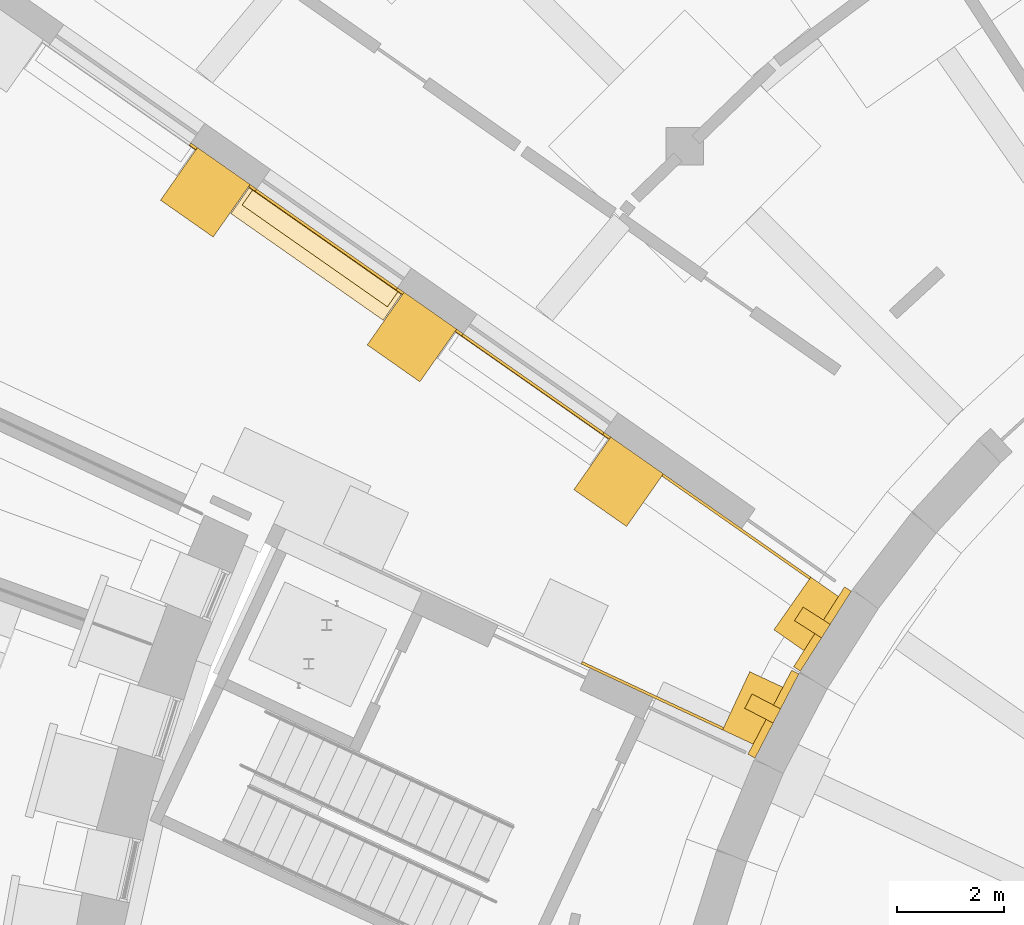
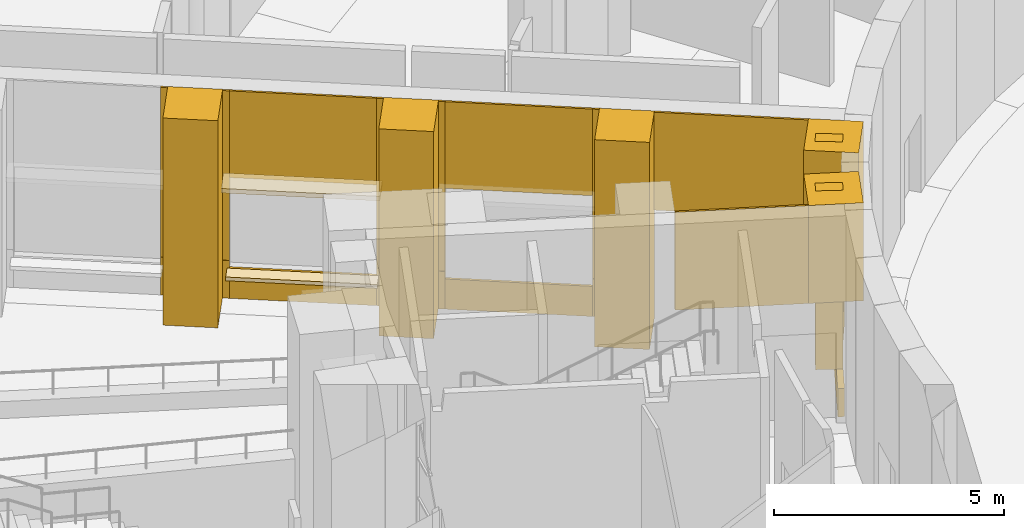
# One storey, part 61 of 65: 27 coverings.
"""IFC4 building model written with IfcOpenShell, lengths in metres."""

from ifc_helpers import new_model, si_unit, direction, frame, origin, origin_2d, place, context, subcontext, project, spatial, polyline, rectangle, outline, extrude, material, layer, layer_set, type_object, element, save


model = new_model("IFC4")

# Units and contexts
model_context = context("Model", 3, precision=1e-05, world=origin(), true_north=direction((0.0, 1.0)))
body_context = subcontext(model_context, "Body", "Model", "MODEL_VIEW")
ifc_project = project(units=[si_unit("LENGTHUNIT", "METRE"), si_unit("AREAUNIT", "SQUARE_METRE"), si_unit("VOLUMEUNIT", "CUBIC_METRE"), si_unit("PLANEANGLEUNIT", "RADIAN"), si_unit("MASSUNIT", "GRAM", prefix="KILO")], contexts=[model_context])

# Site, building, storey
site_placement = place(None, origin())
site = spatial("IfcSite", under=ifc_project, at=site_placement, CompositionType="ELEMENT")
building_placement = place(site_placement, origin())
building = spatial("IfcBuilding", under=site, at=building_placement, Name="Volute Hill Aquarium", CompositionType="ELEMENT")
storey_placement = place(building_placement, frame((0.0, 0.0, -5.5)))
storey = spatial("IfcBuildingStorey", under=building, at=storey_placement, Name="L00", CompositionType="ELEMENT", Elevation=-5.5)

# Coverings
ifc_material_1 = material(Name="Blue limestone", Category="masonry")
ifc_layer_1 = layer(ifc_material_1, 0.14990234375)
ifc_layer_set_1 = layer_set([ifc_layer_1], Name="Bluestone plinth drum block 150x750")
covering_type_1 = type_object("IfcCoveringType", Name="Bluestone plinth drum block 150x750", PredefinedType="CLADDING", material=ifc_layer_set_1)
for number, where, z_axis, x_axis, name in (
    (1, (-17.7578125, 11.31298828125, 0.0), (0.0, 0.0, 1.0), (-0.537299608347, -0.843391445813, 0.0), "Bluestone plinth BPD drum 30"),
    (2, (-18.67626953125, 9.722412109375, 0.0), (0.0, 0.0, 1.0), (-0.461748613235, -0.887010833178, 0.0), "Bluestone plinth BPD drum 31"),
):
    element("IfcCovering", number, at=place(storey_placement, frame(where, z_axis=z_axis, x_axis=x_axis)), inside=storey, type_object=covering_type_1, Name=name, PredefinedType="CLADDING", context=body_context, shape_type="SweptSolid", body=[
        extrude(rectangle(XDim=1.769775390625, YDim=0.14990234375, at=origin_2d()), origin(), (0.0, 0.0, 1.0), 0.75),
    ])
ifc_material_2 = material(Name="Precast pale concrete C40/50", Category="concrete")
covering_type_2 = type_object("IfcCoveringType", Name="Drum pier fin 300x600", PredefinedType="CLADDING", material=ifc_material_2)
for number, where, z_axis, x_axis, name in (
    (3, (-17.947509765625, 11.433837890625, 0.75), (0.0, 0.0, 1.0), (-0.537299608347, -0.843391445813, 0.0), "Drum pier fin DF 30 L00"),
    (4, (-18.8759765625, 9.826171875, 0.75), (0.0, 0.0, 1.0), (-0.461748613235, -0.887010833178, 0.0), "Drum pier fin DF 31 L00"),
):
    element("IfcCovering", number, at=place(storey_placement, frame(where, z_axis=z_axis, x_axis=x_axis)), inside=storey, type_object=covering_type_2, Name=name, PredefinedType="CLADDING", context=body_context, shape_type="SweptSolid", body=[
        extrude(rectangle(XDim=0.300048828125, YDim=0.60009765625, at=origin_2d()), origin(), (0.0, 0.0, 1.0), 4.75),
    ])
ifc_material_3 = material(Name="Blue limestone", Category="masonry")
ifc_layer_2 = layer(ifc_material_3, 0.06005859375)
ifc_layer_set_2 = layer_set([ifc_layer_2], Name="End wall plinth blue limestone 60")
covering_type_3 = type_object("IfcCoveringType", Name="End wall plinth blue limestone 60", PredefinedType="CLADDING", material=ifc_layer_set_2)
covering_1_placement = place(storey_placement, frame((-21.71435546875, 14.8994140625, 0.0), z_axis=(0.572588637393, 0.819842821722, 0.0), x_axis=(-0.819842821722, 0.572588637393, 0.0)))
element("IfcCovering", 5, at=covering_1_placement, inside=storey, type_object=covering_type_3, Name="End wall plinth EWL S6B L00 2", PredefinedType="CLADDING", context=body_context, shape_type="SweptSolid", body=[
    extrude(outline(polyline([(0.0, 0.0), (0.15008593322998537, 0.0), (0.15008593322998537, 1.0), (0.0, 1.0), (0.0, 0.0)])), origin(), (0.0, 0.0, -1.0), 0.06005859375),
])
covering_2_placement = place(storey_placement, frame((-21.83740234375, 14.9853515625, 0.0), z_axis=(0.573630604722, 0.819114112518, 0.0), x_axis=(-0.819114112518, 0.573630604722, 0.0)))
element("IfcCovering", 6, at=covering_2_placement, inside=storey, type_object=covering_type_3, Name="End wall plinth EWL S6B L00 2", PredefinedType="CLADDING", context=body_context, shape_type="SweptSolid", body=[
    extrude(outline(polyline([(0.0, 0.0), (3.213325271657339, 0.0), (3.213325271657339, 0.800048828125), (0.0, 0.800048828125), (0.0, 0.0)])), origin(), (0.0, 0.0, -1.0), 0.06005859375),
])
covering_3_placement = place(storey_placement, frame((-24.469482421875, 16.82861328125, 0.0), z_axis=(0.572588637393, 0.819842821722, 0.0), x_axis=(-0.819842821722, 0.572588637393, 0.0)))
element("IfcCovering", 7, at=covering_3_placement, inside=storey, type_object=covering_type_3, Name="End wall plinth EWL S6B L00 2", PredefinedType="CLADDING", context=body_context, shape_type="SweptSolid", body=[
    extrude(outline(polyline([(0.0, 0.0), (0.15008593322998537, 0.0), (0.15008593322998537, 1.0), (0.0, 1.0), (0.0, 0.0)])), origin(), (0.0, 0.0, -1.0), 0.06005859375),
])
covering_4_placement = place(storey_placement, frame((-25.5751953125, 17.602783203125, 0.0), z_axis=(0.574444878118, 0.818543268254, 0.0), x_axis=(-0.818543268254, 0.574444878118, 0.0)))
element("IfcCovering", 8, at=covering_4_placement, inside=storey, type_object=covering_type_3, Name="End wall plinth EWL S6B L00 3", PredefinedType="CLADDING", context=body_context, shape_type="SweptSolid", body=[
    extrude(outline(polyline([(0.0, 0.0), (0.150025953590682, 0.0), (0.150025953590682, 1.0), (0.0, 1.0), (0.0, 0.0)])), origin(), (0.0, 0.0, -1.0), 0.06005859375),
])
covering_5_placement = place(storey_placement, frame((-25.6982421875, 17.68896484375, 0.0), z_axis=(0.573543926643, 0.81917480687, 0.0), x_axis=(-0.81917480687, 0.573543926643, 0.0)))
element("IfcCovering", 9, at=covering_5_placement, inside=storey, type_object=covering_type_3, Name="End wall plinth EWL S6B L00 3", PredefinedType="CLADDING", context=body_context, shape_type="SweptSolid", body=[
    extrude(outline(polyline([(0.0, 0.0), (3.2133852221443258, 0.0), (3.2133852221443258, 0.800048828125), (0.0, 0.800048828125), (0.0, 0.0)])), origin(), (0.0, 0.0, -1.0), 0.06005859375),
])
covering_6_placement = place(storey_placement, frame((-28.330322265625, 19.531982421875, 0.0), z_axis=(0.574444878118, 0.818543268254, 0.0), x_axis=(-0.818543268254, 0.574444878118, 0.0)))
element("IfcCovering", 10, at=covering_6_placement, inside=storey, type_object=covering_type_3, Name="End wall plinth EWL S6B L00 3", PredefinedType="CLADDING", context=body_context, shape_type="SweptSolid", body=[
    extrude(outline(polyline([(0.0, 0.0), (0.150025953590682, 0.0), (0.150025953590682, 1.0), (0.0, 1.0), (0.0, 0.0)])), origin(), (0.0, 0.0, -1.0), 0.06005859375),
])
covering_7_placement = place(storey_placement, frame((-29.436279296875, 20.306396484375, 0.0), z_axis=(0.572588637393, 0.819842821722, 0.0), x_axis=(-0.819842821722, 0.572588637393, 0.0)))
element("IfcCovering", 11, at=covering_7_placement, inside=storey, type_object=covering_type_3, Name="End wall plinth EWL S6B L00 4", PredefinedType="CLADDING", context=body_context, shape_type="SweptSolid", body=[
    extrude(outline(polyline([(0.0, 0.0), (0.15008593322998537, 0.0), (0.15008593322998537, 1.0), (0.0, 1.0), (0.0, 0.0)])), origin(), (0.0, 0.0, -1.0), 0.06005859375),
])
ifc_material_4 = material(Name="Precast concrete C40/50", Category="concrete")
covering_type_4 = type_object("IfcCoveringType", Name="End wall precast fin C40/50 1200x1200", PredefinedType="CLADDING", material=ifc_material_4)
for number, where, z_axis, x_axis, name in (
    (12, (-18.8271484375, 9.717041015625, 2.89990234375), (0.0, 0.0, 1.0), (-0.906304180904, 0.42262599503, 0.0), "End wall fin EWF S1A L00 1"),
    (13, (-17.828857421875, 11.4462890625, 2.89990234375), (0.0, 0.0, 1.0), (-0.819151442029, 0.573577296467, 0.0), "End wall fin EWF S6B L00 1"),
):
    element("IfcCovering", number, at=place(storey_placement, frame(where, z_axis=z_axis, x_axis=x_axis)), inside=storey, type_object=covering_type_4, Name=name, PredefinedType="CLADDING", context=body_context, shape_type="SweptSolid", body=[
        extrude(rectangle(XDim=1.199951171875, YDim=1.199951171875, at=origin_2d()), origin(), (0.0, 0.0, 1.0), 2.60009765625),
    ])
for number, where, z_axis, x_axis, name in (
    (14, (-21.56689453125, 14.063720703125, 0.0), (0.0, 0.0, 1.0), (-0.819151442029, 0.573577296467, 0.0), "End wall fin EWF S6B L00 2"),
    (15, (-25.427978515625, 16.76708984375, 0.0), (0.0, 0.0, 1.0), (-0.819151442029, 0.573577296467, 0.0), "End wall fin EWF S6B L00 3"),
    (16, (-29.288818359375, 19.470703125, 0.0), (0.0, 0.0, 1.0), (-0.819151442029, 0.573577296467, 0.0), "End wall fin EWF S6B L00 4"),
):
    element("IfcCovering", number, at=place(storey_placement, frame(where, z_axis=z_axis, x_axis=x_axis)), inside=storey, type_object=covering_type_4, Name=name, PredefinedType="CLADDING", context=body_context, shape_type="SweptSolid", body=[
        extrude(rectangle(XDim=1.199951171875, YDim=1.199951171875, at=origin_2d()), origin(), (0.0, 0.0, 1.0), 5.5),
    ])
ifc_material_5 = material(Name="Precast concrete C40/50", Category="concrete")
ifc_layer_3 = layer(ifc_material_5, 0.050048828125)
ifc_layer_set_3 = layer_set([ifc_layer_3], Name="End wall precast infill panel C40/50 50")
covering_type_5 = type_object("IfcCoveringType", Name="End wall precast infill panel C40/50 50", PredefinedType="CLADDING", material=ifc_layer_set_3)
covering_8_placement = place(storey_placement, frame((-19.603515625, 9.472412109375, 2.89990234375), z_axis=(0.422624097709, 0.906305065657, 0.0), x_axis=(-0.906305065657, 0.422624097709, 0.0)))
element("IfcCovering", 17, at=covering_8_placement, inside=storey, type_object=covering_type_5, Name="End wall panel EWP S1A L00 1", PredefinedType="CLADDING", context=body_context, shape_type="SweptSolid", body=[
    extrude(outline(polyline([(0.0, 0.0), (2.9149629669225328, 0.0), (2.9149629669225328, 2.60009765625), (0.0, 2.60009765625), (0.0, 0.0)])), origin(), (0.0, 0.0, -1.0), 0.050048828125),
])
covering_9_placement = place(storey_placement, frame((-17.976318359375, 12.281982421875, 2.89990234375), z_axis=(0.573618235242, 0.819122774801, 0.0), x_axis=(-0.819122774801, 0.573618235242, 0.0)))
element("IfcCovering", 18, at=covering_9_placement, inside=storey, type_object=covering_type_5, Name="End wall panel EWP S6B L00 1", PredefinedType="CLADDING", context=body_context, shape_type="SweptSolid", body=[
    extrude(outline(polyline([(0.0, 0.0), (3.363211104916479, 0.0), (3.363211104916479, 2.6000976562500004), (0.0, 2.6000976562500004), (0.0, 0.0)])), origin(), (0.0, 0.0, -1.0), 0.050048828125),
])
covering_10_placement = place(storey_placement, frame((-21.71435546875, 14.8994140625, 1.0), z_axis=(0.573353020881, 0.819308436089, 0.0), x_axis=(-0.819308436089, 0.573353020881, 0.0)))
element("IfcCovering", 19, at=covering_10_placement, inside=storey, type_object=covering_type_5, Name="End wall panel EWP S6B L00 2", PredefinedType="CLADDING", context=body_context, shape_type="SweptSolid", body=[
    extrude(outline(polyline([(0.0, 0.0), (0.1498858414801972, 0.0), (0.1498858414801972, 4.5), (0.0, 4.5), (0.0, 0.0)])), origin(), (0.0, 0.0, -1.0), 0.050048828125),
])
covering_11_placement = place(storey_placement, frame((-21.837158203125, 14.9853515625, 3.199951171875), z_axis=(0.573594906903, 0.819139110759, 0.0), x_axis=(-0.819139110759, 0.573594906903, 0.0)))
element("IfcCovering", 20, at=covering_11_placement, inside=storey, type_object=covering_type_5, Name="End wall panel EWP S6B L00 2", PredefinedType="CLADDING", context=body_context, shape_type="SweptSolid", body=[
    extrude(outline(polyline([(0.0, 0.0), (3.213525253740353, 0.0), (3.213525253740353, 2.300048828125), (0.0, 2.300048828125), (0.0, 0.0)])), origin(), (0.0, 0.0, -1.0), 0.050048828125),
])
covering_12_placement = place(storey_placement, frame((-24.469482421875, 16.82861328125, 1.0), z_axis=(0.573353020881, 0.819308436089, 0.0), x_axis=(-0.819308436089, 0.573353020881, 0.0)))
element("IfcCovering", 21, at=covering_12_placement, inside=storey, type_object=covering_type_5, Name="End wall panel EWP S6B L00 2", PredefinedType="CLADDING", context=body_context, shape_type="SweptSolid", body=[
    extrude(outline(polyline([(0.0, 0.0), (0.1498858414801972, 0.0), (0.1498858414801972, 4.5), (0.0, 4.5), (0.0, 0.0)])), origin(), (0.0, 0.0, -1.0), 0.050048828125),
])
covering_13_placement = place(storey_placement, frame((-25.5751953125, 17.602783203125, 1.0), z_axis=(0.574444878118, 0.818543268254, 0.0), x_axis=(-0.818543268254, 0.574444878118, 0.0)))
element("IfcCovering", 22, at=covering_13_placement, inside=storey, type_object=covering_type_5, Name="End wall panel EWP S6B L00 3", PredefinedType="CLADDING", context=body_context, shape_type="SweptSolid", body=[
    extrude(outline(polyline([(0.0, 0.0), (0.150025953590682, 0.0), (0.150025953590682, 4.500000000000001), (0.0, 4.500000000000001), (0.0, 0.0)])), origin(), (0.0, 0.0, -1.0), 0.050048828125),
])
covering_14_placement = place(storey_placement, frame((-25.697998046875, 17.68896484375, 3.199951171875), z_axis=(0.573543926643, 0.81917480687, 0.0), x_axis=(-0.81917480687, 0.573543926643, 0.0)))
element("IfcCovering", 23, at=covering_14_placement, inside=storey, type_object=covering_type_5, Name="End wall panel EWP S6B L00 3", PredefinedType="CLADDING", context=body_context, shape_type="SweptSolid", body=[
    extrude(outline(polyline([(0.0, 0.0), (3.213385222144326, 0.0), (3.213385222144326, 2.300048828125), (0.0, 2.300048828125), (0.0, 0.0)])), origin(), (0.0, 0.0, -1.0), 0.050048828125),
])
covering_15_placement = place(storey_placement, frame((-28.330322265625, 19.531982421875, 1.0), z_axis=(0.573353020881, 0.819308436089, 0.0), x_axis=(-0.819308436089, 0.573353020881, 0.0)))
element("IfcCovering", 24, at=covering_15_placement, inside=storey, type_object=covering_type_5, Name="End wall panel EWP S6B L00 3", PredefinedType="CLADDING", context=body_context, shape_type="SweptSolid", body=[
    extrude(outline(polyline([(0.0, 0.0), (0.1498858414801972, 0.0), (0.1498858414801972, 4.5), (0.0, 4.5), (0.0, 0.0)])), origin(), (0.0, 0.0, -1.0), 0.050048828125),
])
covering_16_placement = place(storey_placement, frame((-29.43603515625, 20.306396484375, 1.0), z_axis=(0.572588637393, 0.819842821722, 0.0), x_axis=(-0.819842821722, 0.572588637393, 0.0)))
element("IfcCovering", 25, at=covering_16_placement, inside=storey, type_object=covering_type_5, Name="End wall panel EWP S6B L00 4", PredefinedType="CLADDING", context=body_context, shape_type="SweptSolid", body=[
    extrude(outline(polyline([(0.0, 0.0), (0.15008593322998537, 0.0), (0.15008593322998537, 4.5), (0.0, 4.5), (0.0, 0.0)])), origin(), (0.0, 0.0, -1.0), 0.050048828125),
])
ifc_material_6 = material(Name="Precast concrete C40/50", Category="concrete")
ifc_layer_4 = layer(ifc_material_6, 0.1201171875)
ifc_layer_set_4 = layer_set([ifc_layer_4], Name="End wall window head blade precast C40/50 600x120")
covering_type_6 = type_object("IfcCoveringType", Name="End wall window head blade precast C40/50 600x120", PredefinedType="CLADDING", material=ifc_layer_set_4)
covering_17_placement = place(storey_placement, frame((-27.215087890625, 18.32373046875, 3.199951171875), z_axis=(0.0, 0.0, 1.0), x_axis=(-0.819151442029, 0.573577296467, 0.0)))
element("IfcCovering", 26, at=covering_17_placement, inside=storey, type_object=covering_type_6, Name="End wall window head blade EWB S6B L00 3.1", PredefinedType="CLADDING", context=body_context, shape_type="SweptSolid", body=[
    extrude(rectangle(XDim=3.473388671875, YDim=0.60009765625, at=origin_2d()), origin(), (0.0, 0.0, 1.0), 0.1201171875),
])
ifc_material_7 = material(Name="Precast concrete C40/50", Category="concrete")
ifc_layer_5 = layer(ifc_material_7, 0.10009765625)
ifc_layer_set_5 = layer_set([ifc_layer_5], Name="End wall window sill precast C40/50 350x100")
covering_type_7 = type_object("IfcCoveringType", Name="End wall window sill precast C40/50 350x100", PredefinedType="CLADDING", material=ifc_layer_set_5)
covering_18_placement = place(storey_placement, frame((-27.143310546875, 18.426025390625, 0.699951171875), z_axis=(0.0, 0.0, 1.0), x_axis=(-0.819151442029, 0.573577296467, 0.0)))
element("IfcCovering", 27, at=covering_18_placement, inside=storey, type_object=covering_type_7, Name="End wall window sill EWS S6B L00 3.1", PredefinedType="CLADDING", context=body_context, shape_type="SweptSolid", body=[
    extrude(rectangle(XDim=3.313232421875, YDim=0.35009765625, at=origin_2d()), origin(), (0.0, 0.0, 1.0), 0.10009765625),
])

save(model, "model.ifc")
